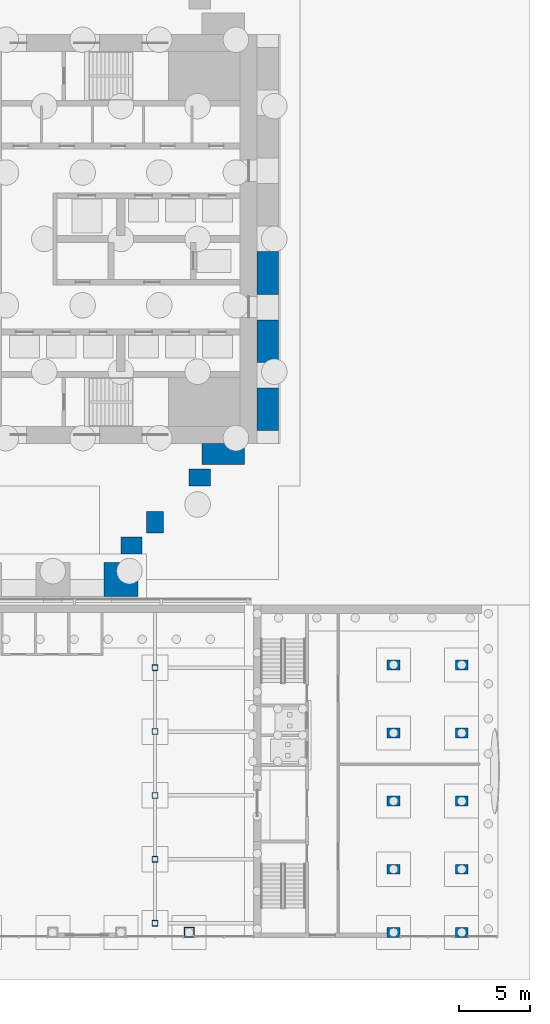
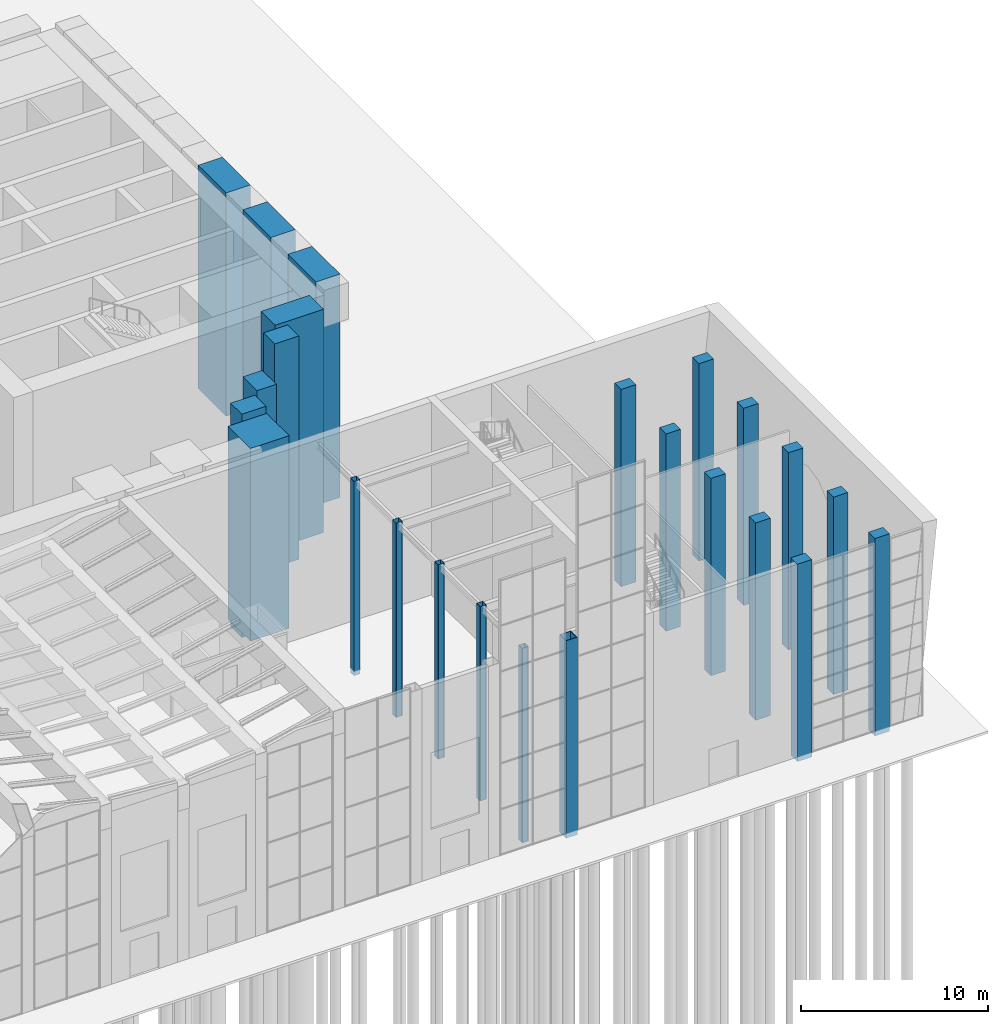
# One storey, part 6 of 58: 24 columns.
"""IFC4 building model written with IfcOpenShell, lengths in metres."""

import ifcopenshell
import ifcopenshell.guid

model = None  # the IFC model being written
_history = None  # IfcOwnerHistory: only IFC2X3 demands one
_inside = {}  # id of a spatial element -> (the spatial element, [elements in it])
_under = {}  # id of a project, library or spatial element -> (it, [spatial elements below it])
_declared = {}  # id of a project -> (the project, [libraries it declares])
_typed = {}  # id of a type object -> (the type object, [elements of that type])
_made_of = {}  # id of a material, layer set ... -> (it, [elements and type objects made of it])


def new_model(schema):
    """Start an empty IFC model of exactly this schema.

    Asked for "IFC4X3", IfcOpenShell would pick the latest addendum, in which some entities
    have other attributes; the version numbers below select the first issue.
    IFC2X3 requires an IfcOwnerHistory on every rooted entity: one is made here for all.
    """
    global model, _history
    if schema == "IFC4X3":
        model = ifcopenshell.file(schema_version=(4, 3, 0, 0))
    else:
        model = ifcopenshell.file(schema=schema)
    _inside.clear()
    _under.clear()
    _declared.clear()
    _typed.clear()
    _made_of.clear()
    _history = None
    if model.schema == "IFC2X3":
        org = make("IfcOrganization", Name="unknown")
        user = make(
            "IfcPersonAndOrganization",
            ThePerson=make("IfcPerson", FamilyName="unknown"),
            TheOrganization=org,
        )
        app = make(
            "IfcApplication",
            ApplicationDeveloper=org,
            Version="unknown",
            ApplicationFullName="unknown",
            ApplicationIdentifier="unknown",
        )
        _history = make(
            "IfcOwnerHistory",
            OwningUser=user,
            OwningApplication=app,
            ChangeAction="ADDED",
            CreationDate=0,
        )
    return model


def make(cls, **values):
    """One entity of the class cls with the attributes given. An attribute that is None is left unset."""
    return model.create_entity(
        cls, **{name: value for name, value in values.items() if value is not None}
    )


def rooted(cls, **values):
    """An entity with a GlobalId (a new one), such as an element, a storey or a relation."""
    return make(cls, GlobalId=ifcopenshell.guid.new(), OwnerHistory=_history, **values)


def si_unit(unit_type, name, prefix=None):
    """IfcSIUnit, for example si_unit("LENGTHUNIT", "METRE", prefix="MILLI")."""
    return make("IfcSIUnit", UnitType=unit_type, Prefix=prefix, Name=name)


def assignment(units):
    """IfcUnitAssignment: the units of a project."""
    return None if units is None else make("IfcUnitAssignment", Units=units)


def point(xyz):
    """IfcCartesianPoint."""
    return None if xyz is None else make("IfcCartesianPoint", Coordinates=xyz)


def direction(xyz):
    """IfcDirection."""
    return None if xyz is None else make("IfcDirection", DirectionRatios=xyz)


def frame(location, z_axis=None, x_axis=None):
    """IfcAxis2Placement3D, a coordinate frame: its origin and axes. An axis left out is left unset."""
    return make(
        "IfcAxis2Placement3D",
        Location=point(location),
        Axis=direction(z_axis),
        RefDirection=direction(x_axis),
    )


def frame_2d(location, x_axis=None):
    """IfcAxis2Placement2D, a coordinate frame in the plane: its origin and x axis."""
    return make(
        "IfcAxis2Placement2D", Location=point(location), RefDirection=direction(x_axis)
    )


def origin():
    """The frame at (0, 0, 0) with its axes left unset."""
    return frame((0.0, 0.0, 0.0))


def origin_2d():
    """The frame at (0, 0) in the plane with its x axis left unset."""
    return frame_2d((0.0, 0.0))


def place(relative_to, where):
    """IfcLocalPlacement: puts the frame where relative to a parent placement (None: the world)."""
    return make(
        "IfcLocalPlacement", PlacementRelTo=relative_to, RelativePlacement=where
    )


def context(
    kind, dimensions, precision=None, world=None, true_north=None, identifier=None
):
    """IfcGeometricRepresentationContext, for example the 3D "Model" context."""
    return make(
        "IfcGeometricRepresentationContext",
        ContextIdentifier=identifier,
        ContextType=kind,
        CoordinateSpaceDimension=dimensions,
        Precision=precision,
        WorldCoordinateSystem=world,
        TrueNorth=true_north,
    )


def subcontext(parent, identifier, kind, view, scale=None):
    """IfcGeometricRepresentationSubContext, for example "Body" below "Model"."""
    return make(
        "IfcGeometricRepresentationSubContext",
        ContextIdentifier=identifier,
        ContextType=kind,
        ParentContext=parent,
        TargetScale=scale,
        TargetView=view,
    )


def project(units=None, contexts=None):
    """IfcProject with its units and contexts."""
    return rooted(
        "IfcProject",
        Name="project",
        RepresentationContexts=contexts,
        UnitsInContext=assignment(units),
    )


def spatial(cls, under=None, at=None, **own):
    """A site, building, storey or space (cls), placed at a placement, below another one or the project."""
    s = rooted(cls, ObjectPlacement=at, **own)
    if under is not None:
        _under.setdefault(under.id(), (under, []))[1].append(s)
    return s


def profile(cls, at=None, kind="AREA", **sizes):
    """A parametric profile (cls). Its sizes go by their IFC names, for example OverallWidth=200.0."""
    return make(cls, ProfileType=kind, Position=at, **sizes)


def rectangle(**sizes):
    """IfcRectangleProfileDef."""
    return profile("IfcRectangleProfileDef", **sizes)


def hollow_rectangle(**sizes):
    """IfcRectangleHollowProfileDef."""
    return profile("IfcRectangleHollowProfileDef", **sizes)


def extrude(swept, where, along, depth):
    """IfcExtrudedAreaSolid: the profile swept, set in the frame where, extruded along a direction by depth."""
    return make(
        "IfcExtrudedAreaSolid",
        SweptArea=swept,
        Position=where,
        ExtrudedDirection=direction(along),
        Depth=depth,
    )


def shape(context_of_items, identifier, shape_type, items):
    """IfcShapeRepresentation: the items that make up one representation, for example the "Body"."""
    return make(
        "IfcShapeRepresentation",
        ContextOfItems=context_of_items,
        RepresentationIdentifier=identifier,
        RepresentationType=shape_type,
        Items=items,
    )


def material(Name=None, Category=None):
    """IfcMaterial."""
    return make("IfcMaterial", Name=Name, Category=Category)


def material_profile(
    of_material, cross_section, Name=None, Category=None, Priority=None
):
    """IfcMaterialProfile: a cross section and its material."""
    return make(
        "IfcMaterialProfile",
        Name=Name,
        Material=of_material,
        Profile=cross_section,
        Priority=Priority,
        Category=Category,
    )


def profile_set(profiles, Name=None, composite=None):
    """IfcMaterialProfileSet."""
    return make(
        "IfcMaterialProfileSet",
        Name=Name,
        MaterialProfiles=profiles,
        CompositeProfile=composite,
    )


def made_of(thing, what):
    """Note that an element or type object is made of a material, layer set ...; save() writes the relation."""
    if what is not None:
        _made_of.setdefault(what.id(), (what, []))[1].append(thing)
    return thing


def type_object(cls, material=None, **own):
    """A type object (cls), such as IfcWallType, which elements share."""
    return made_of(rooted(cls, **own), material)


def element(
    cls,
    number,
    at=None,
    inside=None,
    cuts=None,
    type_object=None,
    material=None,
    context=None,
    identifier="Body",
    shape_type=None,
    held_by="IfcProductDefinitionShape",
    body=None,
    shapes=None,
    **own,
):
    """One element of the class cls, such as IfcWall. Its Tag is "e" and its number.

    at: its placement. inside: the storey or other place that contains it. cuts: it is an
    opening in that element (IfcRelVoidsElement). A single representation is given by context,
    identifier, shape_type and body (its items); several are given by shapes. held_by: the class
    of the entity that holds the representations. save() writes the other relations.
    """
    e = rooted(cls, Tag="e%d" % number, ObjectPlacement=at, **own)
    if body is not None:
        shapes = [shape(context, identifier, shape_type, body)]
    if shapes is not None:
        e.Representation = make(held_by, Representations=shapes)
    if inside is not None:
        _inside.setdefault(inside.id(), (inside, []))[1].append(e)
    if cuts is not None:
        rooted(
            "IfcRelVoidsElement", RelatingBuildingElement=cuts, RelatedOpeningElement=e
        )
    if type_object is not None:
        _typed.setdefault(type_object.id(), (type_object, []))[1].append(e)
    return made_of(e, material)


def aggregate(whole, parts):
    """IfcRelAggregates: a whole, such as a stair, and the parts it consists of."""
    return rooted("IfcRelAggregates", RelatingObject=whole, RelatedObjects=parts)


def save(model, path):
    """Write the relations noted so far, then the file.

    IfcRelAggregates (storeys below a building ...), IfcRelContainedInSpatialStructure (elements
    in a storey), IfcRelDefinesByType, IfcRelAssociatesMaterial and IfcRelDeclares: one each for
    every whole, place, type object, material and project.
    """
    for whole, parts in _under.values():
        aggregate(whole, parts)
    for where, things in _inside.values():
        rooted(
            "IfcRelContainedInSpatialStructure",
            RelatedElements=things,
            RelatingStructure=where,
        )
    for kind, things in _typed.values():
        rooted("IfcRelDefinesByType", RelatedObjects=things, RelatingType=kind)
    for what, things in _made_of.values():
        rooted("IfcRelAssociatesMaterial", RelatedObjects=things, RelatingMaterial=what)
    for by, libraries in _declared.values():
        rooted("IfcRelDeclares", RelatingContext=by, RelatedDefinitions=libraries)
    model.write(path)


model = new_model("IFC4")

# Units and contexts
model_context = context("Model", 3, precision=1e-05, world=origin(), true_north=direction((0.0, 1.0)))
body_context = subcontext(model_context, "Body", "Model", "MODEL_VIEW")
ifc_project = project(units=[si_unit("LENGTHUNIT", "METRE"), si_unit("AREAUNIT", "SQUARE_METRE"), si_unit("VOLUMEUNIT", "CUBIC_METRE"), si_unit("PLANEANGLEUNIT", "RADIAN"), si_unit("MASSUNIT", "GRAM", prefix="KILO")], contexts=[model_context])

# Site, building, storey
site_placement = place(None, origin())
site = spatial("IfcSite", under=ifc_project, at=site_placement, CompositionType="ELEMENT")
building_placement = place(site_placement, origin())
building = spatial("IfcBuilding", under=site, at=building_placement, Name="Baori Bourse Tower", CompositionType="ELEMENT")
storey_placement = place(building_placement, origin())
storey = spatial("IfcBuildingStorey", under=building, at=storey_placement, Name="L00", CompositionType="ELEMENT", Elevation=0.0)

# Columns
ifc_material_1 = material(Name="Concrete f'c 60 MPa", Category="concrete")
ifc_material_profile_1 = material_profile(ifc_material_1, rectangle(XDim=1.199951171875, YDim=1.5, at=origin_2d()), Name="RC 1200x1500")
ifc_profile_set_1 = profile_set([ifc_material_profile_1], Name="Concrete f'c 60 MPa")
column_type_1 = type_object("IfcColumnType", Name="FN2 Brick pilaster", PredefinedType="PILASTER", material=ifc_profile_set_1)
for number, where, z_axis, x_axis, name in (
    (1, (48.75, 2.39990234375, -2.0), (0.0, 0.0, 1.0), (0.0, 1.0, 0.0), "Brick pilaster L00 26"),
    (2, (50.39990234375, 4.050048828125, -2.0), (0.0, 0.0, 1.0), (1.0, 0.0, 0.0), "Brick pilaster L00 27"),
    (3, (53.550048828125, 7.199951171875, -2.0), (0.0, 0.0, 1.0), (0.0, 1.0, 0.0), "Brick pilaster L00 28"),
):
    element("IfcColumn", number, at=place(storey_placement, frame(where, z_axis=z_axis, x_axis=x_axis)), inside=storey, type_object=column_type_1, Name=name, PredefinedType="PILASTER", context=body_context, shape_type="SweptSolid", body=[
        extrude(rectangle(XDim=1.199951171875, YDim=1.5, at=origin_2d()), origin(), (0.0, 0.0, 1.0), 14.60009765625),
    ])
ifc_material_2 = material(Name="Concrete f'c 60 MPa", Category="concrete")
ifc_material_profile_2 = material_profile(ifc_material_2, rectangle(XDim=3.0, YDim=1.5, at=origin_2d()), Name="RC 3000x1500")
ifc_profile_set_2 = profile_set([ifc_material_profile_2], Name="Concrete f'c 60 MPa")
column_type_2 = type_object("IfcColumnType", Name="FN4 Brick flank pilaster 3000x1500", PredefinedType="PILASTER", material=ifc_profile_set_2)
for number, where, z_axis, x_axis, name in (
    (4, (55.199951171875, 8.85009765625, -2.0), (0.0, 0.0, 1.0), (1.0, 0.0, 0.0), "Brick pilaster L00 1"),
    (5, (58.35009765625, 12.0, -2.0), (0.0, 0.0, 1.0), (0.0, 1.0, 0.0), "Brick pilaster L00 2"),
    (6, (58.35009765625, 16.800048828125, -2.0), (0.0, 0.0, 1.0), (0.0, 1.0, 0.0), "Brick pilaster L00 3"),
    (7, (58.35009765625, 21.60009765625, -2.0), (0.0, 0.0, 1.0), (0.0, 1.0, 0.0), "Brick pilaster L00 4"),
):
    element("IfcColumn", number, at=place(storey_placement, frame(where, z_axis=z_axis, x_axis=x_axis)), inside=storey, type_object=column_type_2, Name=name, PredefinedType="PILASTER", context=body_context, shape_type="SweptSolid", body=[
        extrude(rectangle(XDim=3.0, YDim=1.5, at=origin_2d()), origin(), (0.0, 0.0, 1.0), 14.60009765625),
    ])
ifc_material_3 = material(Name="Steel A500 Gr C", Category="steel")
ifc_material_profile_3 = material_profile(ifc_material_3, hollow_rectangle(XDim=0.39990234375, YDim=0.39990234375, WallThickness=0.01611328125, OuterFilletRadius=0.031982421875, at=origin_2d()), Name="HSS400x400x16")
ifc_profile_set_3 = profile_set([ifc_material_profile_3], Name="Steel A500 Gr C")
column_type_3 = type_object("IfcColumnType", Name="Gallery column 400", PredefinedType="COLUMN", material=ifc_profile_set_3)
for number, where, z_axis, x_axis, name in (
    (8, (50.39990234375, -24.199951171875, -0.300048828125), (0.0, 0.0, 1.0), (1.0, 0.0, 0.0), "wing/L00/galcol/006"),
    (9, (50.39990234375, -19.699951171875, -0.300048828125), (0.0, 0.0, 1.0), (1.0, 0.0, 0.0), "wing/L00/galcol/007"),
    (10, (50.39990234375, -15.199951171875, -0.300048828125), (0.0, 0.0, 1.0), (1.0, 0.0, 0.0), "wing/L00/galcol/008"),
    (11, (50.39990234375, -10.699951171875, -0.300048828125), (0.0, 0.0, 1.0), (1.0, 0.0, 0.0), "wing/L00/galcol/009"),
    (12, (50.39990234375, -6.199951171875, -0.300048828125), (0.0, 0.0, 1.0), (1.0, 0.0, 0.0), "wing/L00/galcol/010"),
):
    element("IfcColumn", number, at=place(storey_placement, frame(where, z_axis=z_axis, x_axis=x_axis)), inside=storey, type_object=column_type_3, Name=name, PredefinedType="COLUMN", context=body_context, shape_type="SweptSolid", body=[
        extrude(hollow_rectangle(XDim=0.39990234375, YDim=0.39990234375, WallThickness=0.01611328125, OuterFilletRadius=0.031982421875, at=origin_2d()), origin(), (0.0, 0.0, 1.0), 12.699951171875),
    ])
ifc_material_4 = material(Name="Steel A572 Gr 50", Category="steel")
ifc_material_profile_4 = material_profile(ifc_material_4, hollow_rectangle(XDim=0.699951171875, YDim=0.699951171875, WallThickness=0.031982421875, at=origin_2d()), Name="BOX 700x700x32")
ifc_profile_set_4 = profile_set([ifc_material_profile_4], Name="Steel A572 Gr 50")
column_type_4 = type_object("IfcColumnType", Name="Hall box column 700", PredefinedType="COLUMN", material=ifc_profile_set_4)
column_1_placement = place(storey_placement, frame((52.800048828125, -24.85009765625, -0.300048828125), z_axis=(0.0, 0.0, 1.0), x_axis=(1.0, 0.0, 0.0)))
element("IfcColumn", 13, at=column_1_placement, inside=storey, type_object=column_type_4, Name="wing/L00/hallcol/011", PredefinedType="COLUMN", context=body_context, shape_type="SweptSolid", body=[
    extrude(hollow_rectangle(XDim=0.699951171875, YDim=0.699951171875, WallThickness=0.031982421875, at=origin_2d()), origin(), (0.0, 0.0, 1.0), 12.900146484375),
])
ifc_material_5 = material(Name="Concrete f'c 70 MPa", Category="concrete")
ifc_material_profile_5 = material_profile(ifc_material_5, rectangle(XDim=2.39990234375, YDim=2.39990234375, at=origin_2d()), Name="RC 2400x2400")
ifc_profile_set_5 = profile_set([ifc_material_profile_5], Name="Concrete f'c 70 MPa")
column_type_5 = type_object("IfcColumnType", Name="Perimeter column RC 2400x2400", PredefinedType="COLUMN", material=ifc_profile_set_5)
column_2_placement = place(storey_placement, frame((48.0, 0.0, 0.0), z_axis=(0.0, 0.0, 1.0), x_axis=(1.0, 0.0, 0.0)))
element("IfcColumn", 14, at=column_2_placement, inside=storey, type_object=column_type_5, Name="Perimeter column L00", PredefinedType="COLUMN", context=body_context, shape_type="SweptSolid", body=[
    extrude(rectangle(XDim=2.39990234375, YDim=2.39990234375, at=origin_2d()), origin(), (0.0, 0.0, 1.0), 12.60009765625),
])
ifc_material_6 = material(Name="Concrete f'c 50 MPa", Category="concrete")
ifc_material_profile_6 = material_profile(ifc_material_6, rectangle(XDim=0.89990234375, YDim=0.699951171875, at=origin_2d()), Name="Wing column 900x700")
ifc_profile_set_6 = profile_set([ifc_material_profile_6], Name="Concrete f'c 50 MPa")
column_type_6 = type_object("IfcColumnType", Name="Wing column 900x700", PredefinedType="COLUMN", material=ifc_profile_set_6)
for number, where, z_axis, x_axis, name in (
    (15, (72.0, -24.85009765625, -0.300048828125), (0.0, 0.0, 1.0), (1.0, 0.0, 0.0), "wing/L00/Ecol/001"),
    (16, (72.0, -20.39990234375, -0.300048828125), (0.0, 0.0, 1.0), (1.0, 0.0, 0.0), "wing/L00/Ecol/002"),
    (17, (72.0, -15.60009765625, -0.300048828125), (0.0, 0.0, 1.0), (1.0, 0.0, 0.0), "wing/L00/Ecol/003"),
    (18, (72.0, -10.800048828125, -0.300048828125), (0.0, 0.0, 1.0), (1.0, 0.0, 0.0), "wing/L00/Ecol/004"),
    (19, (72.0, -6.0, -0.300048828125), (0.0, 0.0, 1.0), (1.0, 0.0, 0.0), "wing/L00/Ecol/005"),
    (20, (67.199951171875, -24.85009765625, -0.300048828125), (0.0, 0.0, 1.0), (1.0, 0.0, 0.0), "wing/L00/Ecol/006"),
    (21, (67.199951171875, -20.39990234375, -0.300048828125), (0.0, 0.0, 1.0), (1.0, 0.0, 0.0), "wing/L00/Ecol/007"),
    (22, (67.199951171875, -15.60009765625, -0.300048828125), (0.0, 0.0, 1.0), (1.0, 0.0, 0.0), "wing/L00/Ecol/008"),
    (23, (67.199951171875, -10.800048828125, -0.300048828125), (0.0, 0.0, 1.0), (1.0, 0.0, 0.0), "wing/L00/Ecol/009"),
    (24, (67.199951171875, -6.0, -0.300048828125), (0.0, 0.0, 1.0), (1.0, 0.0, 0.0), "wing/L00/Ecol/010"),
):
    element("IfcColumn", number, at=place(storey_placement, frame(where, z_axis=z_axis, x_axis=x_axis)), inside=storey, type_object=column_type_6, Name=name, PredefinedType="COLUMN", context=body_context, shape_type="SweptSolid", body=[
        extrude(rectangle(XDim=0.89990234375, YDim=0.699951171875, at=origin_2d()), origin(), (0.0, 0.0, 1.0), 12.900146484375),
    ])

save(model, "model.ifc")
